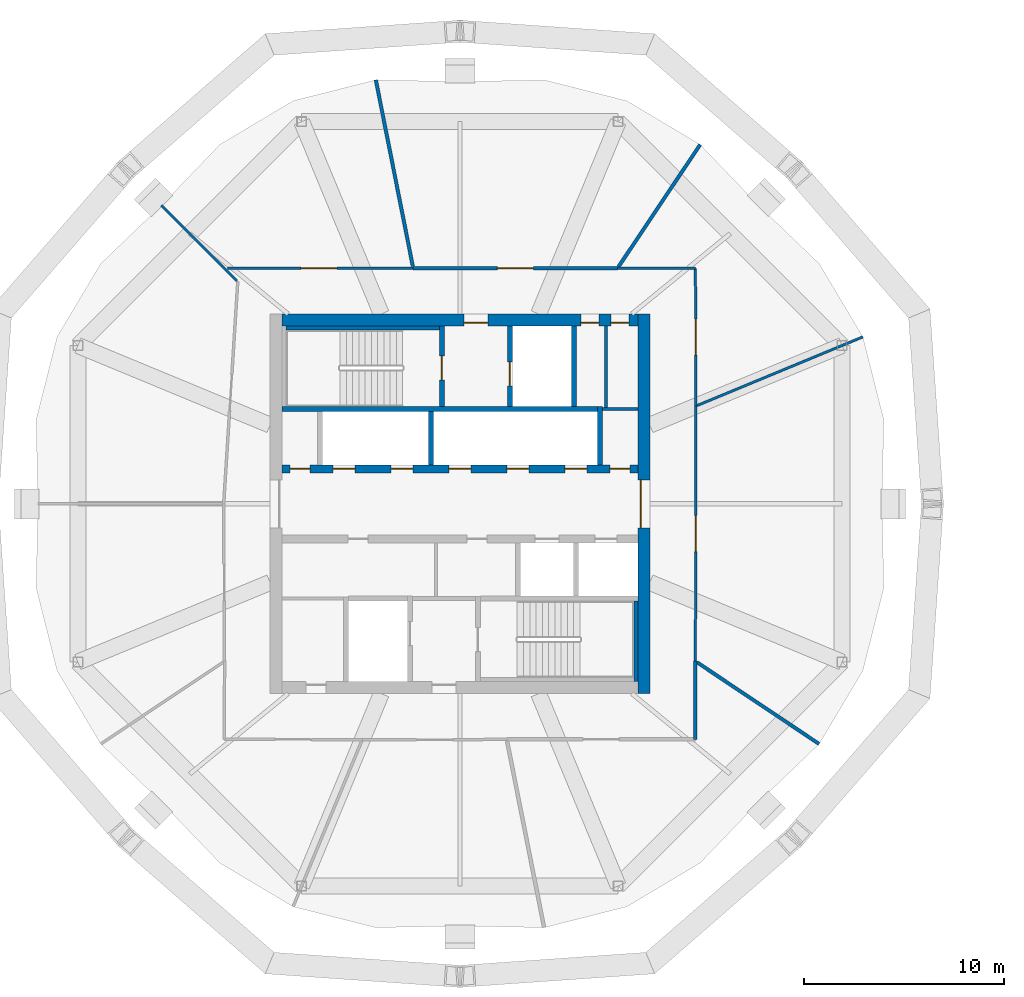
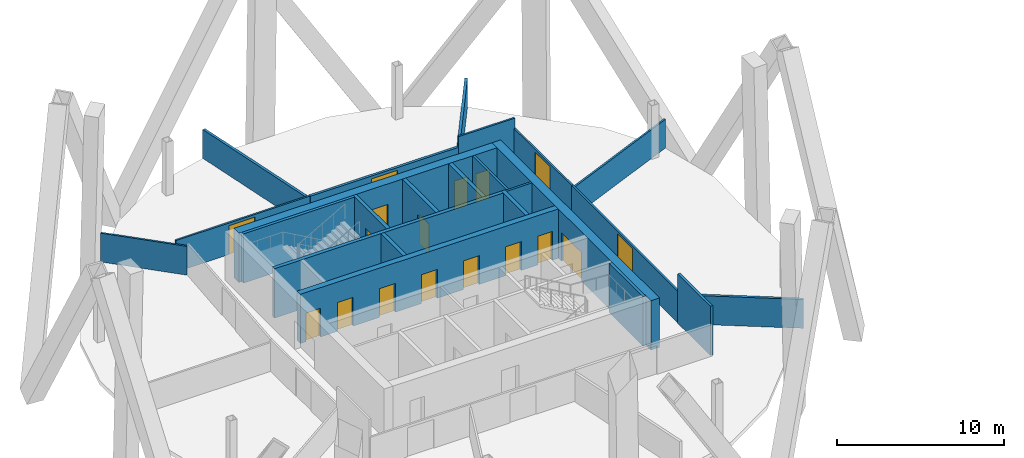
# One storey, part 5 of 10: 24 walls, 17 doors, 17 openings.
"""IFC4 building model written with IfcOpenShell, lengths in metres."""

from ifc_helpers import new_model, si_unit, direction, frame, frame_2d, origin, place, context, subcontext, project, spatial, rectangle, extrude, material, layer, layer_set, type_object, element, fill, save


model = new_model("IFC4")

# Units and contexts
model_context = context("Model", 3, precision=1e-05, world=origin(), true_north=direction((0.0, 1.0)))
body_context = subcontext(model_context, "Body", "Model", "MODEL_VIEW")
ifc_project = project(units=[si_unit("LENGTHUNIT", "METRE"), si_unit("AREAUNIT", "SQUARE_METRE"), si_unit("VOLUMEUNIT", "CUBIC_METRE"), si_unit("PLANEANGLEUNIT", "RADIAN"), si_unit("MASSUNIT", "GRAM", prefix="KILO")], contexts=[model_context])

# Site, building, storey
site_placement = place(None, origin())
site = spatial("IfcSite", under=ifc_project, at=site_placement, CompositionType="ELEMENT")
building_placement = place(site_placement, origin())
building = spatial("IfcBuilding", under=site, at=building_placement, Name="Ogive Gate Towers", CompositionType="ELEMENT")
storey_placement = place(building_placement, frame((0.0, 0.0, 204.60009765625)))
storey = spatial("IfcBuildingStorey", under=building, at=storey_placement, Name="L49", CompositionType="ELEMENT", Elevation=204.60009765625)

# Walls
ifc_material_1 = material(Name="Gypsum board acoustic partition")
ifc_layer_1 = layer(ifc_material_1, 0.175048828125)
ifc_layer_set_1 = layer_set([ifc_layer_1], Name="Acoustic partition 175")
wall_type_1 = type_object("IfcWallType", Name="Acoustic partition 175", PredefinedType="PARTITIONING", material=ifc_layer_set_1)
wall_1_placement = place(storey_placement, frame((-23.98193359375, 17.971435546875, 0.0), z_axis=(0.0, 0.0, 1.0), x_axis=(-0.555893526089, -0.831253503844, 0.0)))
element("IfcWall", 1, at=wall_1_placement, inside=storey, type_object=wall_type_1, Name="Partition T1-L49-002", PredefinedType="PARTITIONING", context=body_context, shape_type="SweptSolid", body=[
    extrude(rectangle(XDim=7.361572265625, YDim=0.175048828125, at=frame_2d((3.6806640625, 0.0))), origin(), (0.0, 0.0, 1.0), 2.099853515625),
])
wall_2_placement = place(storey_placement, frame((-40.209716796875, 21.205810546875, 0.0), z_axis=(0.0, 0.0, 1.0), x_axis=(0.194714091205, -0.980860042354, 0.0)))
element("IfcWall", 2, at=wall_2_placement, inside=storey, type_object=wall_type_1, Name="Partition T1-L49-003", PredefinedType="PARTITIONING", context=body_context, shape_type="SweptSolid", body=[
    extrude(rectangle(XDim=9.51171875, YDim=0.175048828125, at=frame_2d((4.755859375, 0.0))), origin(), (0.0, 0.0, 1.0), 2.099853515625),
])
wall_3_placement = place(storey_placement, frame((-18.028564453125, -12.01806640625, 0.0), z_axis=(0.0, 0.0, 1.0), x_axis=(-0.831253503844, 0.555893526089, 0.0)))
element("IfcWall", 3, at=wall_3_placement, inside=storey, type_object=wall_type_1, Name="Partition T1-L49-009", PredefinedType="PARTITIONING", context=body_context, shape_type="SweptSolid", body=[
    extrude(rectangle(XDim=7.361572265625, YDim=0.175048828125, at=frame_2d((3.6806640625, 0.0))), origin(), (0.0, 0.0, 1.0), 2.099853515625),
])
wall_4_placement = place(storey_placement, frame((-24.219970703125, -11.780029296875, 0.0), z_axis=(0.0, 0.0, 1.0), x_axis=(-0.000187664203, 0.999999982391, 0.0)))
element("IfcWall", 4, at=wall_4_placement, inside=storey, type_object=wall_type_1, Name="Partition T1-L49-015", PredefinedType="PARTITIONING", context=body_context, shape_type="SweptSolid", body=[
    extrude(rectangle(XDim=3.90283203125, YDim=0.175048828125, at=frame_2d((1.951416015625, 0.0))), origin(), (0.0, 0.0, 1.0), 3.599853515625),
])

# Wall, opening, door
wall_5_placement = place(storey_placement, frame((-28.122802734375, 11.779296875, 0.0), z_axis=(0.0, 0.0, 1.0), x_axis=(-0.999999395978, 0.00109911049, 0.0)))
wall_5 = element("IfcWall", 5, at=wall_5_placement, inside=storey, type_object=wall_type_1, Name="Partition T1-L49-019", PredefinedType="PARTITIONING", context=body_context, shape_type="SweptSolid", body=[
    extrude(rectangle(XDim=10.2177734375, YDim=0.175048828125, at=frame_2d((5.10888671875, 0.0))), origin(), (0.0, 0.0, 1.0), 2.2998046875),
])
opening_1_placement = place(wall_5_placement, frame((4.208984375, 0.0, 0.0)))
opening_1 = element("IfcOpeningElement", 6, at=opening_1_placement, cuts=wall_5, Name="Opening T1-L49-D07", PredefinedType="OPENING", context=body_context, shape_type="SweptSolid", body=[
    extrude(rectangle(XDim=1.800048828125, YDim=2.10009765625, at=frame_2d((0.89990234375, 1.050048828125))), frame((0.0, 0.09765625, 0.0), z_axis=(0.0, -1.0, 0.0), x_axis=(1.0, 0.0, 0.0)), (0.0, 0.0, 1.0), 0.195068359375),
])
ifc_material_2 = material(Name="Timber door", Category="wood")
door_type_1 = type_object("IfcDoorType", Name="Door pair 1800", OperationType="NOTDEFINED", PredefinedType="DOOR", material=ifc_material_2)
door_1_placement = place(opening_1_placement, origin())
door_1 = element("IfcDoor", 7, at=door_1_placement, inside=storey, type_object=door_type_1, Name="Door T1-L49-D07", OperationType="DOUBLE_DOOR_DOUBLE_SWING", OverallHeight=2.10009765625, OverallWidth=1.800048828125, PredefinedType="DOOR", context=body_context, shape_type="SweptSolid", body=[
    extrude(rectangle(XDim=1.800048828125, YDim=2.10009765625, at=frame_2d((0.89990234375, 1.050048828125))), frame((0.0, 0.02490234375, 0.0), z_axis=(0.0, -1.0, 0.0), x_axis=(1.0, 0.0, 0.0)), (0.0, 0.0, 1.0), 0.050048828125),
])
fill(opening_1, door_1)

# Wall, openings, doors
ifc_material_3 = material(Name="Concrete C60/75", Category="concrete")
ifc_layer_2 = layer(ifc_material_3, 0.60009765625)
ifc_layer_set_2 = layer_set([ifc_layer_2], Name="Core wall 600 mm")
wall_type_2 = type_object("IfcWallType", Name="Core wall 600 mm", PredefinedType="SHEAR", material=ifc_layer_set_2)
wall_6_placement = place(storey_placement, frame((-44.89990234375, 9.199951171875, 0.0), z_axis=(0.0, 0.0, 1.0), x_axis=(1.0, 0.0, 0.0)))
wall_6 = element("IfcWall", 8, at=wall_6_placement, inside=storey, type_object=wall_type_2, Name="T1 L49 Core wall 600 mm", PredefinedType="SHEAR", context=body_context, shape_type="SweptSolid", body=[
    extrude(rectangle(XDim=17.7998046875, YDim=0.60009765625, at=frame_2d((8.89990234375, 0.0))), origin(), (0.0, 0.0, 1.0), 3.599853515625),
])
opening_2_placement = place(wall_6_placement, frame((9.10009765625, 0.0, 0.0)))
opening_2 = element("IfcOpeningElement", 9, at=opening_2_placement, cuts=wall_6, Name="Opening KD-T1-L49-18", PredefinedType="OPENING", context=body_context, shape_type="SweptSolid", body=[
    extrude(rectangle(XDim=1.199951171875, YDim=2.10009765625, at=frame_2d((0.60009765625, 1.050048828125))), frame((0.0, 0.31005859375, 0.0), z_axis=(0.0, -1.0, 0.0), x_axis=(1.0, 0.0, 0.0)), (0.0, 0.0, 1.0), 0.6201171875),
])
opening_3_placement = place(wall_6_placement, frame((14.949951171875, 0.0, 0.0)))
opening_3 = element("IfcOpeningElement", 10, at=opening_3_placement, cuts=wall_6, Name="Opening KD-T1-L49-20", PredefinedType="OPENING", context=body_context, shape_type="SweptSolid", body=[
    extrude(rectangle(XDim=0.89990234375, YDim=2.10009765625, at=frame_2d((0.449951171875, 1.050048828125))), frame((0.0, 0.31005859375, 0.0), z_axis=(0.0, -1.0, 0.0), x_axis=(1.0, 0.0, 0.0)), (0.0, 0.0, 1.0), 0.6201171875),
])
opening_4_placement = place(wall_6_placement, frame((16.449951171875, 0.0, 0.0)))
opening_4 = element("IfcOpeningElement", 11, at=opening_4_placement, cuts=wall_6, Name="Opening KD-T1-L49-21", PredefinedType="OPENING", context=body_context, shape_type="SweptSolid", body=[
    extrude(rectangle(XDim=0.89990234375, YDim=2.10009765625, at=frame_2d((0.449951171875, 1.050048828125))), frame((0.0, 0.31005859375, 0.0), z_axis=(0.0, -1.0, 0.0), x_axis=(1.0, 0.0, 0.0)), (0.0, 0.0, 1.0), 0.6201171875),
])
door_type_2 = type_object("IfcDoorType", Name="Core WC door 900 x 2100", OperationType="NOTDEFINED", PredefinedType="DOOR", material=ifc_material_2)
door_2_placement = place(opening_3_placement, origin())
door_2 = element("IfcDoor", 12, at=door_2_placement, inside=storey, type_object=door_type_2, Name="T1 L49 Core door", OperationType="SINGLE_SWING_LEFT", OverallHeight=2.10009765625, OverallWidth=0.89990234375, PredefinedType="DOOR", context=body_context, shape_type="SweptSolid", body=[
    extrude(rectangle(XDim=0.89990234375, YDim=2.10009765625, at=frame_2d((0.449951171875, 1.050048828125))), frame((0.0, -0.125, 0.0), z_axis=(0.0, -1.0, 0.0), x_axis=(1.0, 0.0, 0.0)), (0.0, 0.0, 1.0), 0.050048828125),
])
fill(opening_3, door_2)
door_3_placement = place(opening_4_placement, origin())
door_3 = element("IfcDoor", 13, at=door_3_placement, inside=storey, type_object=door_type_2, Name="T1 L49 Core door", OperationType="SINGLE_SWING_RIGHT", OverallHeight=2.10009765625, OverallWidth=0.89990234375, PredefinedType="DOOR", context=body_context, shape_type="SweptSolid", body=[
    extrude(rectangle(XDim=0.89990234375, YDim=2.10009765625, at=frame_2d((0.449951171875, 1.050048828125))), frame((0.0, -0.125, 0.0), z_axis=(0.0, -1.0, 0.0), x_axis=(1.0, 0.0, 0.0)), (0.0, 0.0, 1.0), 0.050048828125),
])
fill(opening_4, door_3)
ifc_material_4 = material(Name="Steel fire door", Category="steel")
door_type_3 = type_object("IfcDoorType", Name="Core door FD60S 1200 x 2100", OperationType="NOTDEFINED", PredefinedType="DOOR", material=ifc_material_4)
door_4_placement = place(opening_2_placement, origin())
door_4 = element("IfcDoor", 14, at=door_4_placement, inside=storey, type_object=door_type_3, Name="T1 L49 Fire-fighting lobby door", OperationType="SINGLE_SWING_LEFT", OverallHeight=2.10009765625, OverallWidth=1.199951171875, PredefinedType="DOOR", context=body_context, shape_type="SweptSolid", body=[
    extrude(rectangle(XDim=1.199951171875, YDim=2.10009765625, at=frame_2d((0.60009765625, 1.050048828125))), frame((0.0, -0.125, 0.0), z_axis=(0.0, -1.0, 0.0), x_axis=(1.0, 0.0, 0.0)), (0.0, 0.0, 1.0), 0.050048828125),
])
fill(opening_2, door_4)

# Wall, opening, door
wall_7_placement = place(storey_placement, frame((-26.800048828125, -9.5, 0.0), z_axis=(0.0, 0.0, 1.0), x_axis=(0.0, 1.0, 0.0)))
wall_7 = element("IfcWall", 15, at=wall_7_placement, inside=storey, type_object=wall_type_2, Name="T1 L49 Core wall 600 mm", PredefinedType="SHEAR", context=body_context, shape_type="SweptSolid", body=[
    extrude(rectangle(XDim=19.0, YDim=0.60009765625, at=frame_2d((9.5, 0.0))), origin(), (0.0, 0.0, 1.0), 3.599853515625),
])
opening_5_placement = place(wall_7_placement, frame((8.300048828125, 0.0, 0.0)))
opening_5 = element("IfcOpeningElement", 16, at=opening_5_placement, cuts=wall_7, Name="Opening KD-T1-L49-02", PredefinedType="OPENING", context=body_context, shape_type="SweptSolid", body=[
    extrude(rectangle(XDim=2.39990234375, YDim=2.10009765625, at=frame_2d((1.199951171875, 1.050048828125))), frame((0.0, 0.31005859375, 0.0), z_axis=(0.0, -1.0, 0.0), x_axis=(1.0, 0.0, 0.0)), (0.0, 0.0, 1.0), 0.6201171875),
])
door_type_4 = type_object("IfcDoorType", Name="Core double door FD60S 2400 x 2100", OperationType="DOUBLE_DOOR_SINGLE_SWING", PredefinedType="DOOR", material=ifc_material_4)
door_5_placement = place(opening_5_placement, origin())
door_5 = element("IfcDoor", 17, at=door_5_placement, inside=storey, type_object=door_type_4, Name="T1 L49 Core door double", OperationType="DOUBLE_DOOR_SINGLE_SWING", OverallHeight=2.10009765625, OverallWidth=2.39990234375, PredefinedType="DOOR", context=body_context, shape_type="SweptSolid", body=[
    extrude(rectangle(XDim=2.39990234375, YDim=2.10009765625, at=frame_2d((1.199951171875, 1.050048828125))), frame((0.0, 0.1748046875, 0.0), z_axis=(0.0, -1.0, 0.0), x_axis=(1.0, 0.0, 0.0)), (0.0, 0.0, 1.0), 0.050048828125),
])
fill(opening_5, door_5)

# Walls
ifc_material_5 = material(Name="Gypsum board partition")
ifc_layer_3 = layer(ifc_material_5, 0.125)
ifc_layer_set_3 = layer_set([ifc_layer_3], Name="Partition 125")
wall_type_3 = type_object("IfcWallType", Name="Partition 125", PredefinedType="PARTITIONING", material=ifc_layer_set_3)
wall_8_placement = place(storey_placement, frame((-15.8408203125, 8.35009765625, 0.0), z_axis=(0.0, 0.0, 1.0), x_axis=(-0.923881075236, -0.382679707877, 0.0)))
element("IfcWall", 18, at=wall_8_placement, inside=storey, type_object=wall_type_3, Name="Partition T1-L49-001", PredefinedType="PARTITIONING", context=body_context, shape_type="SweptSolid", body=[
    extrude(rectangle(XDim=8.986572265625, YDim=0.125, at=frame_2d((4.4931640625, 0.0))), origin(), (0.0, 0.0, 1.0), 2.099853515625),
])
wall_9_placement = place(storey_placement, frame((-50.933349609375, 14.933349609375, 0.0), z_axis=(0.0, 0.0, 1.0), x_axis=(0.707106781187, -0.707106781187, 0.0)))
element("IfcWall", 19, at=wall_9_placement, inside=storey, type_object=wall_type_3, Name="Partition T1-L49-004", PredefinedType="PARTITIONING", context=body_context, shape_type="SweptSolid", body=[
    extrude(rectangle(XDim=5.33642578125, YDim=0.125, at=frame_2d((2.668212890625, 0.0))), origin(), (0.0, 0.0, 1.0), 2.099853515625),
])

# Wall, opening, door
wall_10_placement = place(storey_placement, frame((-24.220703125, -7.877197265625, 0.0), z_axis=(0.0, 0.0, 1.0), x_axis=(0.001530132287, 0.999998829347, 0.0)))
wall_10 = element("IfcWall", 20, at=wall_10_placement, inside=storey, type_object=wall_type_3, Name="Partition T1-L49-016", PredefinedType="PARTITIONING", context=body_context, shape_type="SweptSolid", body=[
    extrude(rectangle(XDim=12.764404296875, YDim=0.125, at=frame_2d((6.38232421875, 0.0))), origin(), (0.0, 0.0, 1.0), 2.2998046875),
])
opening_6_placement = place(wall_10_placement, frame((5.48193359375, 0.0, 0.0)))
opening_6 = element("IfcOpeningElement", 21, at=opening_6_placement, cuts=wall_10, Name="Opening T1-L49-D05", PredefinedType="OPENING", context=body_context, shape_type="SweptSolid", body=[
    extrude(rectangle(XDim=1.800048828125, YDim=2.10009765625, at=frame_2d((0.89990234375, 1.050048828125))), frame((0.0, 0.072509765625, 0.0), z_axis=(0.0, -1.0, 0.0), x_axis=(1.0, 0.0, 0.0)), (0.0, 0.0, 1.0), 0.14501953125),
])
door_6_placement = place(opening_6_placement, origin())
door_6 = element("IfcDoor", 22, at=door_6_placement, inside=storey, type_object=door_type_1, Name="Door T1-L49-D05", OperationType="DOUBLE_DOOR_DOUBLE_SWING", OverallHeight=2.10009765625, OverallWidth=1.800048828125, PredefinedType="DOOR", context=body_context, shape_type="SweptSolid", body=[
    extrude(rectangle(XDim=1.800048828125, YDim=2.10009765625, at=frame_2d((0.89990234375, 1.050048828125))), frame((0.0, 0.02490234375, 0.0), z_axis=(0.0, -1.0, 0.0), x_axis=(1.0, 0.0, 0.0)), (0.0, 0.0, 1.0), 0.050048828125),
])
fill(opening_6, door_6)

wall_11_placement = place(storey_placement, frame((-24.201171875, 4.88720703125, 0.0), z_axis=(0.0, 0.0, 1.0), x_axis=(-0.002727294784, 0.999996280925, 0.0)))
wall_11 = element("IfcWall", 23, at=wall_11_placement, inside=storey, type_object=wall_type_3, Name="Partition T1-L49-017", PredefinedType="PARTITIONING", context=body_context, shape_type="SweptSolid", body=[
    extrude(rectangle(XDim=6.892822265625, YDim=0.125, at=frame_2d((3.4462890625, 0.0))), origin(), (0.0, 0.0, 1.0), 2.2998046875),
])
opening_7_placement = place(wall_11_placement, frame((2.5458984375, 0.0, 0.0)))
opening_7 = element("IfcOpeningElement", 24, at=opening_7_placement, cuts=wall_11, Name="Opening T1-L49-D06", PredefinedType="OPENING", context=body_context, shape_type="SweptSolid", body=[
    extrude(rectangle(XDim=1.800048828125, YDim=2.10009765625, at=frame_2d((0.89990234375, 1.050048828125))), frame((0.0, 0.072509765625, 0.0), z_axis=(0.0, -1.0, 0.0), x_axis=(1.0, 0.0, 0.0)), (0.0, 0.0, 1.0), 0.14501953125),
])
door_7_placement = place(opening_7_placement, origin())
door_7 = element("IfcDoor", 25, at=door_7_placement, inside=storey, type_object=door_type_1, Name="Door T1-L49-D06", OperationType="DOUBLE_DOOR_DOUBLE_SWING", OverallHeight=2.10009765625, OverallWidth=1.800048828125, PredefinedType="DOOR", context=body_context, shape_type="SweptSolid", body=[
    extrude(rectangle(XDim=1.800048828125, YDim=2.10009765625, at=frame_2d((0.89990234375, 1.050048828125))), frame((0.0, 0.02490234375, 0.0), z_axis=(0.0, -1.0, 0.0), x_axis=(1.0, 0.0, 0.0)), (0.0, 0.0, 1.0), 0.050048828125),
])
fill(opening_7, door_7)

# Wall
wall_12_placement = place(storey_placement, frame((-24.219970703125, 11.780029296875, 0.0), z_axis=(0.0, 0.0, 1.0), x_axis=(-0.999999982391, -0.000187664203, 0.0)))
element("IfcWall", 26, at=wall_12_placement, inside=storey, type_object=wall_type_3, Name="Partition T1-L49-018", PredefinedType="PARTITIONING", context=body_context, shape_type="SweptSolid", body=[
    extrude(rectangle(XDim=3.90283203125, YDim=0.125, at=frame_2d((1.951416015625, 0.0))), origin(), (0.0, 0.0, 1.0), 3.0498046875),
])

# Wall, opening, door
wall_13_placement = place(storey_placement, frame((-38.340576171875, 11.79052734375, 0.0), z_axis=(0.0, 0.0, 1.0), x_axis=(-0.99999938939, -0.001105087995, 0.0)))
wall_13 = element("IfcWall", 27, at=wall_13_placement, inside=storey, type_object=wall_type_3, Name="Partition T1-L49-020", PredefinedType="PARTITIONING", context=body_context, shape_type="SweptSolid", body=[
    extrude(rectangle(XDim=9.27880859375, YDim=0.125, at=frame_2d((4.639404296875, 0.0))), origin(), (0.0, 0.0, 1.0), 2.2998046875),
])
opening_8_placement = place(wall_13_placement, frame((3.820068359375, 0.0, 0.0)))
opening_8 = element("IfcOpeningElement", 28, at=opening_8_placement, cuts=wall_13, Name="Opening T1-L49-D08", PredefinedType="OPENING", context=body_context, shape_type="SweptSolid", body=[
    extrude(rectangle(XDim=1.800048828125, YDim=2.10009765625, at=frame_2d((0.89990234375, 1.050048828125))), frame((0.0, 0.072509765625, 0.0), z_axis=(0.0, -1.0, 0.0), x_axis=(1.0, 0.0, 0.0)), (0.0, 0.0, 1.0), 0.14501953125),
])
door_8_placement = place(opening_8_placement, origin())
door_8 = element("IfcDoor", 29, at=door_8_placement, inside=storey, type_object=door_type_1, Name="Door T1-L49-D08", OperationType="DOUBLE_DOOR_DOUBLE_SWING", OverallHeight=2.10009765625, OverallWidth=1.800048828125, PredefinedType="DOOR", context=body_context, shape_type="SweptSolid", body=[
    extrude(rectangle(XDim=1.800048828125, YDim=2.10009765625, at=frame_2d((0.89990234375, 1.050048828125))), frame((0.0, 0.02490234375, 0.0), z_axis=(0.0, -1.0, 0.0), x_axis=(1.0, 0.0, 0.0)), (0.0, 0.0, 1.0), 0.050048828125),
])
fill(opening_8, door_8)

# Walls
ifc_layer_4 = layer(ifc_material_5, 0.14990234375)
ifc_layer_set_4 = layer_set([ifc_layer_4], Name="Room partition 150 mm")
wall_type_4 = type_object("IfcWallType", Name="Room partition 150 mm", PredefinedType="PARTITIONING", material=ifc_layer_set_4)
wall_14_placement = place(storey_placement, frame((-28.875, 4.75, 0.0), z_axis=(0.0, 0.0, 1.0), x_axis=(1.0, 0.0, 0.0)))
element("IfcWall", 30, at=wall_14_placement, inside=storey, type_object=wall_type_4, Name="T1 L49 Room partition 150 mm", PredefinedType="PARTITIONING", context=body_context, shape_type="SweptSolid", body=[
    extrude(rectangle(XDim=1.77490234375, YDim=0.14990234375, at=frame_2d((0.887451171875, 0.0))), origin(), (0.0, 0.0, 1.0), 3.599853515625),
])
wall_15_placement = place(storey_placement, frame((-28.699951171875, 4.824951171875, 0.0), z_axis=(0.0, 0.0, 1.0), x_axis=(0.0, 1.0, 0.0)))
element("IfcWall", 31, at=wall_15_placement, inside=storey, type_object=wall_type_4, Name="T1 L49 Room partition 150 mm", PredefinedType="PARTITIONING", context=body_context, shape_type="SweptSolid", body=[
    extrude(rectangle(XDim=4.074951171875, YDim=0.14990234375, at=frame_2d((2.03759765625, 0.0))), origin(), (0.0, 0.0, 1.0), 3.599853515625),
])
ifc_layer_5 = layer(ifc_material_3, 0.25)
ifc_layer_set_5 = layer_set([ifc_layer_5], Name="Shaft wall 250 mm")
wall_type_5 = type_object("IfcWallType", Name="Shaft wall 250 mm", PredefinedType="SHEAR", material=ifc_layer_set_5)
wall_16_placement = place(storey_placement, frame((-44.89990234375, 4.75, 0.0), z_axis=(0.0, 0.0, 1.0), x_axis=(1.0, 0.0, 0.0)))
element("IfcWall", 32, at=wall_16_placement, inside=storey, type_object=wall_type_5, Name="T1 L49 Shaft wall 250 mm", PredefinedType="SHEAR", context=body_context, shape_type="SweptSolid", body=[
    extrude(rectangle(XDim=15.77490234375, YDim=0.25, at=frame_2d((7.887451171875, 0.0))), origin(), (0.0, 0.0, 1.0), 3.599853515625),
])
wall_17_placement = place(storey_placement, frame((-37.449951171875, 1.949951171875, 0.0), z_axis=(0.0, 0.0, 1.0), x_axis=(0.0, 1.0, 0.0)))
element("IfcWall", 33, at=wall_17_placement, inside=storey, type_object=wall_type_5, Name="T1 L49 Shaft wall 250 mm", PredefinedType="SHEAR", context=body_context, shape_type="SweptSolid", body=[
    extrude(rectangle(XDim=2.675048828125, YDim=0.25, at=frame_2d((1.33740234375, 0.0))), origin(), (0.0, 0.0, 1.0), 3.599853515625),
])

# Wall, opening, door
wall_18_placement = place(storey_placement, frame((-36.89990234375, 4.875, 0.0), z_axis=(0.0, 0.0, 1.0), x_axis=(0.0, 1.0, 0.0)))
wall_18 = element("IfcWall", 34, at=wall_18_placement, inside=storey, type_object=wall_type_5, Name="T1 L49 Shaft wall 250 mm", PredefinedType="SHEAR", context=body_context, shape_type="SweptSolid", body=[
    extrude(rectangle(XDim=4.02490234375, YDim=0.25, at=frame_2d((2.012451171875, 0.0))), origin(), (0.0, 0.0, 1.0), 3.599853515625),
])
opening_9_placement = place(wall_18_placement, frame((1.324951171875, 0.0, 0.0)))
opening_9 = element("IfcOpeningElement", 35, at=opening_9_placement, cuts=wall_18, Name="Opening KD-T1-L49-16", PredefinedType="OPENING", context=body_context, shape_type="SweptSolid", body=[
    extrude(rectangle(XDim=1.199951171875, YDim=2.10009765625, at=frame_2d((0.60009765625, 1.050048828125))), frame((0.0, 0.135009765625, 0.0), z_axis=(0.0, -1.0, 0.0), x_axis=(1.0, 0.0, 0.0)), (0.0, 0.0, 1.0), 0.27001953125),
])
door_9_placement = place(opening_9_placement, origin())
door_9 = element("IfcDoor", 36, at=door_9_placement, inside=storey, type_object=door_type_3, Name="T1 L49 Stair door", OperationType="SINGLE_SWING_LEFT", OverallHeight=2.10009765625, OverallWidth=1.199951171875, PredefinedType="DOOR", context=body_context, shape_type="SweptSolid", body=[
    extrude(rectangle(XDim=1.199951171875, YDim=2.10009765625, at=frame_2d((0.60009765625, 1.050048828125))), frame((0.0, 0.02490234375, 0.0), z_axis=(0.0, -1.0, 0.0), x_axis=(1.0, 0.0, 0.0)), (0.0, 0.0, 1.0), 0.050048828125),
])
fill(opening_9, door_9)

wall_19_placement = place(storey_placement, frame((-33.5, 4.875, 0.0), z_axis=(0.0, 0.0, 1.0), x_axis=(0.0, 1.0, 0.0)))
wall_19 = element("IfcWall", 37, at=wall_19_placement, inside=storey, type_object=wall_type_5, Name="T1 L49 Shaft wall 250 mm", PredefinedType="SHEAR", context=body_context, shape_type="SweptSolid", body=[
    extrude(rectangle(XDim=4.02490234375, YDim=0.25, at=frame_2d((2.012451171875, 0.0))), origin(), (0.0, 0.0, 1.0), 3.599853515625),
])
opening_10_placement = place(wall_19_placement, frame((1.02490234375, 0.0, 0.0)))
opening_10 = element("IfcOpeningElement", 38, at=opening_10_placement, cuts=wall_19, Name="Opening LD-T1-L49-12", PredefinedType="OPENING", context=body_context, shape_type="SweptSolid", body=[
    extrude(rectangle(XDim=1.199951171875, YDim=2.10009765625, at=frame_2d((0.60009765625, 1.050048828125))), frame((0.0, 0.135009765625, 0.0), z_axis=(0.0, -1.0, 0.0), x_axis=(1.0, 0.0, 0.0)), (0.0, 0.0, 1.0), 0.27001953125),
])
ifc_material_6 = material(Name="Stainless steel landing door", Category="steel")
door_type_5 = type_object("IfcDoorType", Name="Landing door 1200 x 2100", OperationType="SLIDING_TO_LEFT", PredefinedType="DOOR", material=ifc_material_6)
door_10_placement = place(opening_10_placement, origin())
door_10 = element("IfcDoor", 39, at=door_10_placement, inside=storey, type_object=door_type_5, Name="T1 L49 Lift landing door FF1", OperationType="SLIDING_TO_LEFT", OverallHeight=2.10009765625, OverallWidth=1.199951171875, PredefinedType="DOOR", context=body_context, shape_type="SweptSolid", body=[
    extrude(rectangle(XDim=1.199951171875, YDim=2.10009765625, at=frame_2d((0.60009765625, 1.050048828125))), frame((0.0, 0.02490234375, 0.0), z_axis=(0.0, -1.0, 0.0), x_axis=(1.0, 0.0, 0.0)), (0.0, 0.0, 1.0), 0.050048828125),
])
fill(opening_10, door_10)

# Walls
wall_20_placement = place(storey_placement, frame((-30.300048828125, 4.875, 0.0), z_axis=(0.0, 0.0, 1.0), x_axis=(0.0, 1.0, 0.0)))
element("IfcWall", 40, at=wall_20_placement, inside=storey, type_object=wall_type_5, Name="T1 L49 Shaft wall 250 mm", PredefinedType="SHEAR", context=body_context, shape_type="SweptSolid", body=[
    extrude(rectangle(XDim=4.02490234375, YDim=0.25, at=frame_2d((2.012451171875, 0.0))), origin(), (0.0, 0.0, 1.0), 3.599853515625),
])
wall_21_placement = place(storey_placement, frame((-29.0, 1.949951171875, 0.0), z_axis=(0.0, 0.0, 1.0), x_axis=(0.0, 1.0, 0.0)))
element("IfcWall", 41, at=wall_21_placement, inside=storey, type_object=wall_type_5, Name="T1 L49 Shaft wall 250 mm", PredefinedType="SHEAR", context=body_context, shape_type="SweptSolid", body=[
    extrude(rectangle(XDim=2.925048828125, YDim=0.25, at=frame_2d((1.46240234375, 0.0))), origin(), (0.0, 0.0, 1.0), 3.599853515625),
])

# Wall, openings, doors
ifc_layer_6 = layer(ifc_material_3, 0.39990234375)
ifc_layer_set_6 = layer_set([ifc_layer_6], Name="Spine wall 400 mm")
wall_type_6 = type_object("IfcWallType", Name="Spine wall 400 mm", PredefinedType="SHEAR", material=ifc_layer_set_6)
wall_22_placement = place(storey_placement, frame((-44.89990234375, 1.75, 0.0), z_axis=(0.0, 0.0, 1.0), x_axis=(1.0, 0.0, 0.0)))
wall_22 = element("IfcWall", 42, at=wall_22_placement, inside=storey, type_object=wall_type_6, Name="T1 L49 Spine wall 400 mm", PredefinedType="SHEAR", context=body_context, shape_type="SweptSolid", body=[
    extrude(rectangle(XDim=17.7998046875, YDim=0.39990234375, at=frame_2d((8.89990234375, 0.0))), origin(), (0.0, 0.0, 1.0), 3.599853515625),
])
opening_11_placement = place(wall_22_placement, frame((0.39990234375, 0.0, 0.0)))
opening_11 = element("IfcOpeningElement", 43, at=opening_11_placement, cuts=wall_22, Name="Opening KD-T1-L49-03", PredefinedType="OPENING", context=body_context, shape_type="SweptSolid", body=[
    extrude(rectangle(XDim=1.0, YDim=2.10009765625, at=frame_2d((0.5, 1.050048828125))), frame((0.0, 0.2099609375, 0.0), z_axis=(0.0, -1.0, 0.0), x_axis=(1.0, 0.0, 0.0)), (0.0, 0.0, 1.0), 0.419921875),
])
opening_12_placement = place(wall_22_placement, frame((2.550048828125, 0.0, 0.0)))
opening_12 = element("IfcOpeningElement", 44, at=opening_12_placement, cuts=wall_22, Name="Opening LD-T1-L49-04", PredefinedType="OPENING", context=body_context, shape_type="SweptSolid", body=[
    extrude(rectangle(XDim=1.10009765625, YDim=2.10009765625, at=frame_2d((0.550048828125, 1.050048828125))), frame((0.0, 0.2099609375, 0.0), z_axis=(0.0, -1.0, 0.0), x_axis=(1.0, 0.0, 0.0)), (0.0, 0.0, 1.0), 0.419921875),
])
opening_13_placement = place(wall_22_placement, frame((5.449951171875, 0.0, 0.0)))
opening_13 = element("IfcOpeningElement", 45, at=opening_13_placement, cuts=wall_22, Name="Opening LD-T1-L49-05", PredefinedType="OPENING", context=body_context, shape_type="SweptSolid", body=[
    extrude(rectangle(XDim=1.10009765625, YDim=2.10009765625, at=frame_2d((0.550048828125, 1.050048828125))), frame((0.0, 0.2099609375, 0.0), z_axis=(0.0, -1.0, 0.0), x_axis=(1.0, 0.0, 0.0)), (0.0, 0.0, 1.0), 0.419921875),
])
opening_14_placement = place(wall_22_placement, frame((8.35009765625, 0.0, 0.0)))
opening_14 = element("IfcOpeningElement", 46, at=opening_14_placement, cuts=wall_22, Name="Opening LD-T1-L49-06", PredefinedType="OPENING", context=body_context, shape_type="SweptSolid", body=[
    extrude(rectangle(XDim=1.10009765625, YDim=2.10009765625, at=frame_2d((0.550048828125, 1.050048828125))), frame((0.0, 0.2099609375, 0.0), z_axis=(0.0, -1.0, 0.0), x_axis=(1.0, 0.0, 0.0)), (0.0, 0.0, 1.0), 0.419921875),
])
opening_15_placement = place(wall_22_placement, frame((11.25, 0.0, 0.0)))
opening_15 = element("IfcOpeningElement", 47, at=opening_15_placement, cuts=wall_22, Name="Opening LD-T1-L49-07", PredefinedType="OPENING", context=body_context, shape_type="SweptSolid", body=[
    extrude(rectangle(XDim=1.10009765625, YDim=2.10009765625, at=frame_2d((0.550048828125, 1.050048828125))), frame((0.0, 0.2099609375, 0.0), z_axis=(0.0, -1.0, 0.0), x_axis=(1.0, 0.0, 0.0)), (0.0, 0.0, 1.0), 0.419921875),
])
opening_16_placement = place(wall_22_placement, frame((14.14990234375, 0.0, 0.0)))
opening_16 = element("IfcOpeningElement", 48, at=opening_16_placement, cuts=wall_22, Name="Opening LD-T1-L49-08", PredefinedType="OPENING", context=body_context, shape_type="SweptSolid", body=[
    extrude(rectangle(XDim=1.10009765625, YDim=2.10009765625, at=frame_2d((0.550048828125, 1.050048828125))), frame((0.0, 0.2099609375, 0.0), z_axis=(0.0, -1.0, 0.0), x_axis=(1.0, 0.0, 0.0)), (0.0, 0.0, 1.0), 0.419921875),
])
opening_17_placement = place(wall_22_placement, frame((16.39990234375, 0.0, 0.0)))
opening_17 = element("IfcOpeningElement", 49, at=opening_17_placement, cuts=wall_22, Name="Opening KD-T1-L49-09", PredefinedType="OPENING", context=body_context, shape_type="SweptSolid", body=[
    extrude(rectangle(XDim=1.0, YDim=2.10009765625, at=frame_2d((0.5, 1.050048828125))), frame((0.0, 0.2099609375, 0.0), z_axis=(0.0, -1.0, 0.0), x_axis=(1.0, 0.0, 0.0)), (0.0, 0.0, 1.0), 0.419921875),
])
door_type_6 = type_object("IfcDoorType", Name="Core door FD60S 1000 x 2100", OperationType="NOTDEFINED", PredefinedType="DOOR", material=ifc_material_4)
door_11_placement = place(opening_11_placement, origin())
door_11 = element("IfcDoor", 50, at=door_11_placement, inside=storey, type_object=door_type_6, Name="T1 L49 Core door", OperationType="SINGLE_SWING_RIGHT", OverallHeight=2.10009765625, OverallWidth=1.0, PredefinedType="DOOR", context=body_context, shape_type="SweptSolid", body=[
    extrude(rectangle(XDim=1.0, YDim=2.10009765625, at=frame_2d((0.5, 1.050048828125))), frame((0.0, 0.02490234375, 0.0), z_axis=(0.0, -1.0, 0.0), x_axis=(1.0, 0.0, 0.0)), (0.0, 0.0, 1.0), 0.050048828125),
])
fill(opening_11, door_11)
door_12_placement = place(opening_17_placement, origin())
door_12 = element("IfcDoor", 51, at=door_12_placement, inside=storey, type_object=door_type_6, Name="T1 L49 Core door", OperationType="SINGLE_SWING_RIGHT", OverallHeight=2.10009765625, OverallWidth=1.0, PredefinedType="DOOR", context=body_context, shape_type="SweptSolid", body=[
    extrude(rectangle(XDim=1.0, YDim=2.10009765625, at=frame_2d((0.5, 1.050048828125))), frame((0.0, 0.02490234375, 0.0), z_axis=(0.0, -1.0, 0.0), x_axis=(1.0, 0.0, 0.0)), (0.0, 0.0, 1.0), 0.050048828125),
])
fill(opening_17, door_12)
door_type_7 = type_object("IfcDoorType", Name="Landing door 1100 x 2100", OperationType="SLIDING_TO_LEFT", PredefinedType="DOOR", material=ifc_material_6)
door_13_placement = place(opening_12_placement, origin())
door_13 = element("IfcDoor", 52, at=door_13_placement, inside=storey, type_object=door_type_7, Name="T1 L49 Lift landing door B1", OperationType="SLIDING_TO_LEFT", OverallHeight=2.10009765625, OverallWidth=1.10009765625, PredefinedType="DOOR", context=body_context, shape_type="SweptSolid", body=[
    extrude(rectangle(XDim=1.10009765625, YDim=2.10009765625, at=frame_2d((0.550048828125, 1.050048828125))), frame((0.0, 0.02490234375, 0.0), z_axis=(0.0, -1.0, 0.0), x_axis=(1.0, 0.0, 0.0)), (0.0, 0.0, 1.0), 0.050048828125),
])
fill(opening_12, door_13)
door_14_placement = place(opening_13_placement, origin())
door_14 = element("IfcDoor", 53, at=door_14_placement, inside=storey, type_object=door_type_7, Name="T1 L49 Lift landing door B2", OperationType="SLIDING_TO_LEFT", OverallHeight=2.10009765625, OverallWidth=1.10009765625, PredefinedType="DOOR", context=body_context, shape_type="SweptSolid", body=[
    extrude(rectangle(XDim=1.10009765625, YDim=2.10009765625, at=frame_2d((0.550048828125, 1.050048828125))), frame((0.0, 0.02490234375, 0.0), z_axis=(0.0, -1.0, 0.0), x_axis=(1.0, 0.0, 0.0)), (0.0, 0.0, 1.0), 0.050048828125),
])
fill(opening_13, door_14)
door_15_placement = place(opening_14_placement, origin())
door_15 = element("IfcDoor", 54, at=door_15_placement, inside=storey, type_object=door_type_7, Name="T1 L49 Lift landing door B3", OperationType="SLIDING_TO_LEFT", OverallHeight=2.10009765625, OverallWidth=1.10009765625, PredefinedType="DOOR", context=body_context, shape_type="SweptSolid", body=[
    extrude(rectangle(XDim=1.10009765625, YDim=2.10009765625, at=frame_2d((0.550048828125, 1.050048828125))), frame((0.0, 0.02490234375, 0.0), z_axis=(0.0, -1.0, 0.0), x_axis=(1.0, 0.0, 0.0)), (0.0, 0.0, 1.0), 0.050048828125),
])
fill(opening_14, door_15)
door_16_placement = place(opening_15_placement, origin())
door_16 = element("IfcDoor", 55, at=door_16_placement, inside=storey, type_object=door_type_7, Name="T1 L49 Lift landing door B4", OperationType="SLIDING_TO_LEFT", OverallHeight=2.10009765625, OverallWidth=1.10009765625, PredefinedType="DOOR", context=body_context, shape_type="SweptSolid", body=[
    extrude(rectangle(XDim=1.10009765625, YDim=2.10009765625, at=frame_2d((0.550048828125, 1.050048828125))), frame((0.0, 0.02490234375, 0.0), z_axis=(0.0, -1.0, 0.0), x_axis=(1.0, 0.0, 0.0)), (0.0, 0.0, 1.0), 0.050048828125),
])
fill(opening_15, door_16)
door_17_placement = place(opening_16_placement, origin())
door_17 = element("IfcDoor", 56, at=door_17_placement, inside=storey, type_object=door_type_7, Name="T1 L49 Lift landing door B5", OperationType="SLIDING_TO_LEFT", OverallHeight=2.10009765625, OverallWidth=1.10009765625, PredefinedType="DOOR", context=body_context, shape_type="SweptSolid", body=[
    extrude(rectangle(XDim=1.10009765625, YDim=2.10009765625, at=frame_2d((0.550048828125, 1.050048828125))), frame((0.0, 0.02490234375, 0.0), z_axis=(0.0, -1.0, 0.0), x_axis=(1.0, 0.0, 0.0)), (0.0, 0.0, 1.0), 0.050048828125),
])
fill(opening_16, door_17)

# Walls
ifc_layer_7 = layer(ifc_material_3, 0.199951171875)
ifc_layer_set_7 = layer_set([ifc_layer_7], Name="Stair wall 200 mm")
wall_type_7 = type_object("IfcWallType", Name="Stair wall 200 mm", PredefinedType="SHEAR", material=ifc_layer_set_7)
wall_23_placement = place(storey_placement, frame((-44.699951171875, 8.800048828125, 0.0), z_axis=(0.0, 0.0, 1.0), x_axis=(1.0, 0.0, 0.0)))
element("IfcWall", 57, at=wall_23_placement, inside=storey, type_object=wall_type_7, Name="T1 L49 Stair wall 200 mm", PredefinedType="SHEAR", context=body_context, shape_type="SweptSolid", body=[
    extrude(rectangle(XDim=7.675048828125, YDim=0.199951171875, at=frame_2d((3.83740234375, 0.0))), origin(), (0.0, 0.0, 1.0), 3.599853515625),
])
wall_24_placement = place(storey_placement, frame((-27.199951171875, -8.89990234375, 0.0), z_axis=(0.0, 0.0, 1.0), x_axis=(0.0, 1.0, 0.0)))
element("IfcWall", 58, at=wall_24_placement, inside=storey, type_object=wall_type_7, Name="T1 L49 Stair wall 200 mm", PredefinedType="SHEAR", context=body_context, shape_type="SweptSolid", body=[
    extrude(rectangle(XDim=4.02490234375, YDim=0.199951171875, at=frame_2d((2.012451171875, 0.0))), origin(), (0.0, 0.0, 1.0), 3.599853515625),
])

save(model, "model.ifc")
